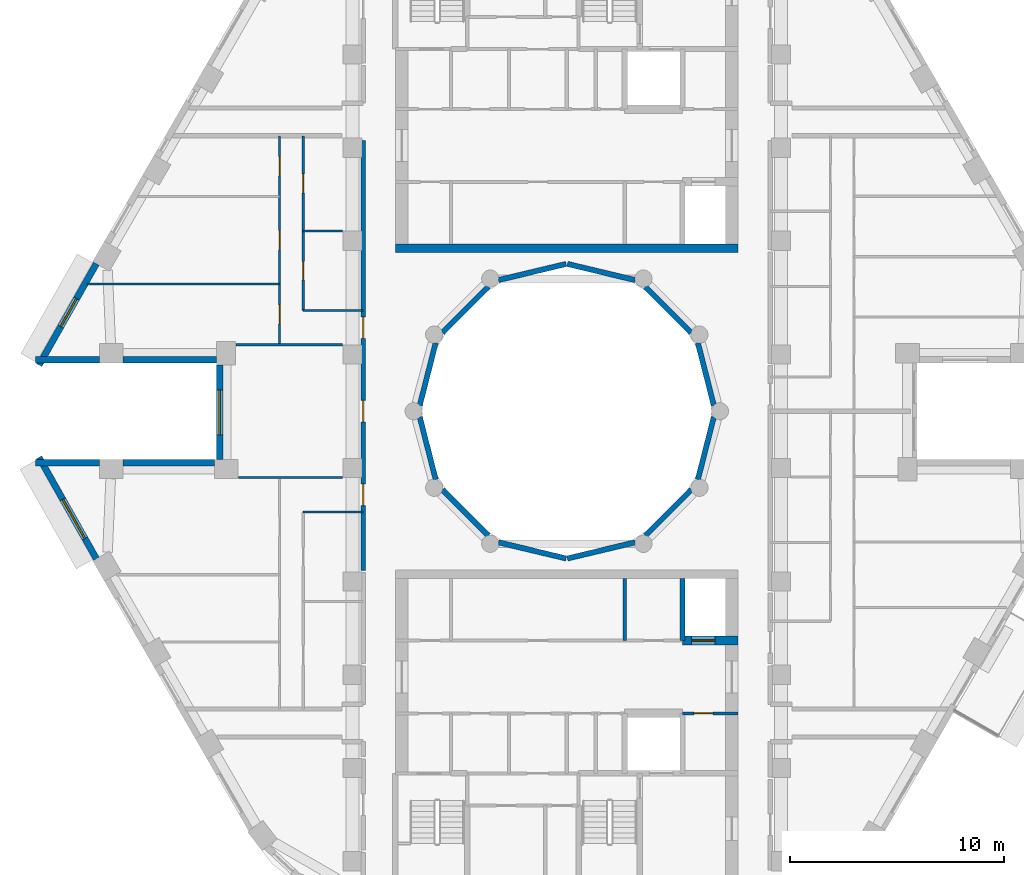
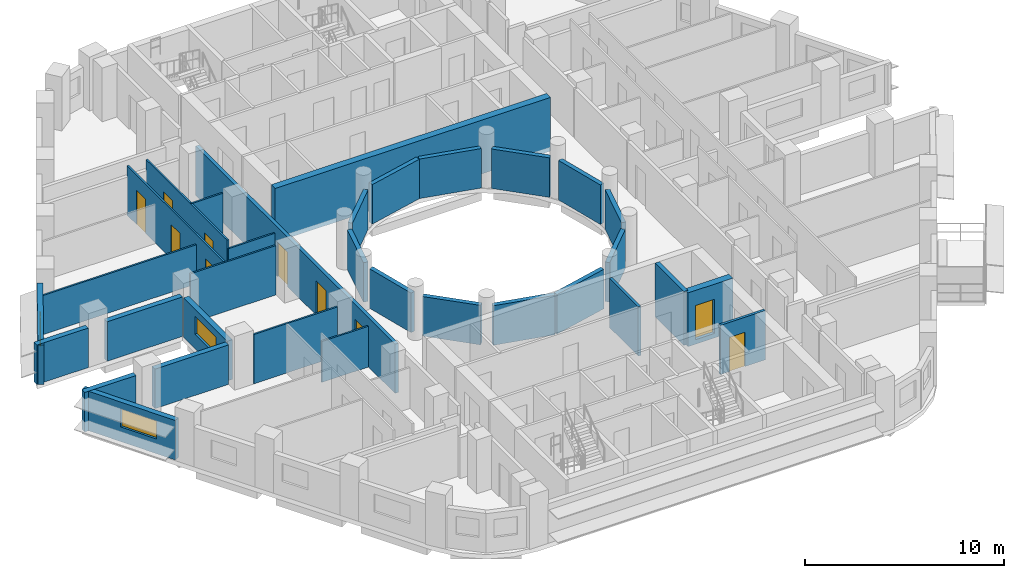
# One storey, part 4 of 12: 33 walls, 10 doors, 3 windows, 13 openings.
"""IFC4 building model written with IfcOpenShell, lengths in metres."""

from ifc_helpers import new_model, si_unit, direction, frame, frame_2d, origin, place, context, subcontext, project, spatial, rectangle, extrude, material, layer, layer_set, type_object, element, fill, save


model = new_model("IFC4")

# Units and contexts
model_context = context("Model", 3, precision=1e-05, world=origin(), true_north=direction((0.0, 1.0)))
body_context = subcontext(model_context, "Body", "Model", "MODEL_VIEW")
ifc_project = project(units=[si_unit("LENGTHUNIT", "METRE"), si_unit("AREAUNIT", "SQUARE_METRE"), si_unit("VOLUMEUNIT", "CUBIC_METRE"), si_unit("PLANEANGLEUNIT", "RADIAN"), si_unit("MASSUNIT", "GRAM", prefix="KILO")], contexts=[model_context])

# Site, building, storey
site_placement = place(None, origin())
site = spatial("IfcSite", under=ifc_project, at=site_placement, CompositionType="ELEMENT")
building_placement = place(site_placement, origin())
building = spatial("IfcBuilding", under=site, at=building_placement, Name="Nakaniwa Court", CompositionType="ELEMENT")
storey_placement = place(building_placement, frame((0.0, 0.0, 229.5)))
storey = spatial("IfcBuildingStorey", under=building, at=storey_placement, Name="L59", CompositionType="ELEMENT", Elevation=229.5)

# Wall, openings, doors
ifc_material_1 = material(Name="Acoustic double stud partition")
ifc_layer_1 = layer(ifc_material_1, 0.199951171875)
ifc_layer_set_1 = layer_set([ifc_layer_1], Name="Acoustic double stud partition")
wall_type_1 = type_object("IfcWallType", Name="Acoustic double stud partition 200", PredefinedType="PARTITIONING", material=ifc_layer_set_1)
wall_1_placement = place(storey_placement, frame((70.5, 72.576904296875, 0.0), z_axis=(0.0, 0.0, 1.0), x_axis=(0.0, 1.0, 0.0)))
wall_1 = element("IfcWall", 1, at=wall_1_placement, inside=storey, type_object=wall_type_1, Name="Partition PW-086", PredefinedType="PARTITIONING", context=body_context, shape_type="SweptSolid", body=[
    extrude(rectangle(XDim=20.051025390625, YDim=0.199951171875, at=frame_2d((10.025390625, 0.0))), origin(), (0.0, 0.0, 1.0), 3.02490234375),
])
opening_1_placement = place(wall_1_placement, frame((3.02294921875, 0.0, 0.0)))
opening_1 = element("IfcOpeningElement", 2, at=opening_1_placement, cuts=wall_1, Name="Opening D-01-03", PredefinedType="OPENING", context=body_context, shape_type="SweptSolid", body=[
    extrude(rectangle(XDim=1.0, YDim=2.10009765625, at=frame_2d((0.5, 1.050048828125))), frame((0.0, 0.10986328125, 0.0), z_axis=(0.0, -1.0, 0.0), x_axis=(1.0, 0.0, 0.0)), (0.0, 0.0, 1.0), 0.219970703125),
])
opening_2_placement = place(wall_1_placement, frame((6.923095703125, 0.0, 0.0)))
opening_2 = element("IfcOpeningElement", 3, at=opening_2_placement, cuts=wall_1, Name="Opening D-02-04", PredefinedType="OPENING", context=body_context, shape_type="SweptSolid", body=[
    extrude(rectangle(XDim=1.0, YDim=2.10009765625, at=frame_2d((0.5, 1.050048828125))), frame((0.0, 0.10986328125, 0.0), z_axis=(0.0, -1.0, 0.0), x_axis=(1.0, 0.0, 0.0)), (0.0, 0.0, 1.0), 0.219970703125),
])
opening_3_placement = place(wall_1_placement, frame((10.822998046875, 0.0, 0.0)))
opening_3 = element("IfcOpeningElement", 4, at=opening_3_placement, cuts=wall_1, Name="Opening D-01-04", PredefinedType="OPENING", context=body_context, shape_type="SweptSolid", body=[
    extrude(rectangle(XDim=1.0, YDim=2.10009765625, at=frame_2d((0.5, 1.050048828125))), frame((0.0, 0.10986328125, 0.0), z_axis=(0.0, -1.0, 0.0), x_axis=(1.0, 0.0, 0.0)), (0.0, 0.0, 1.0), 0.219970703125),
])
ifc_material_2 = material(Name="Solid core timber door set, black veneer", Category="wood")
door_type_1 = type_object("IfcDoorType", Name="Flat entrance door 1000", OperationType="NOTDEFINED", PredefinedType="DOOR", material=ifc_material_2)
door_1_placement = place(opening_1_placement, origin())
door_1 = element("IfcDoor", 5, at=door_1_placement, inside=storey, type_object=door_type_1, Name="Door D-01-03 L59-048", OperationType="SINGLE_SWING_LEFT", OverallHeight=2.10009765625, OverallWidth=1.0, PredefinedType="DOOR", context=body_context, shape_type="SweptSolid", body=[
    extrude(rectangle(XDim=1.0, YDim=2.10009765625, at=frame_2d((0.5, 1.050048828125))), frame((0.0, 0.02490234375, 0.0), z_axis=(0.0, -1.0, 0.0), x_axis=(1.0, 0.0, 0.0)), (0.0, 0.0, 1.0), 0.050048828125),
])
fill(opening_1, door_1)
door_2_placement = place(opening_3_placement, origin())
door_2 = element("IfcDoor", 6, at=door_2_placement, inside=storey, type_object=door_type_1, Name="Door D-01-04 L59-055", OperationType="SINGLE_SWING_RIGHT", OverallHeight=2.10009765625, OverallWidth=1.0, PredefinedType="DOOR", context=body_context, shape_type="SweptSolid", body=[
    extrude(rectangle(XDim=1.0, YDim=2.10009765625, at=frame_2d((0.5, 1.050048828125))), frame((0.0, 0.02490234375, 0.0), z_axis=(0.0, -1.0, 0.0), x_axis=(1.0, 0.0, 0.0)), (0.0, 0.0, 1.0), 0.050048828125),
])
fill(opening_3, door_2)
door_type_2 = type_object("IfcDoorType", Name="Internal door 1000", OperationType="NOTDEFINED", PredefinedType="DOOR", material=ifc_material_2)
door_3_placement = place(opening_2_placement, origin())
door_3 = element("IfcDoor", 7, at=door_3_placement, inside=storey, type_object=door_type_2, Name="Door D-02-04 L59-054", OperationType="SINGLE_SWING_LEFT", OverallHeight=2.10009765625, OverallWidth=1.0, PredefinedType="DOOR", context=body_context, shape_type="SweptSolid", body=[
    extrude(rectangle(XDim=1.0, YDim=2.10009765625, at=frame_2d((0.5, 1.050048828125))), frame((0.0, 0.02490234375, 0.0), z_axis=(0.0, -1.0, 0.0), x_axis=(1.0, 0.0, 0.0)), (0.0, 0.0, 1.0), 0.050048828125),
])
fill(opening_2, door_3)

# Wall, opening, window
ifc_material_3 = material(Name="Charcoal ceramic cladding")
ifc_layer_2 = layer(ifc_material_3, 0.02, Name="Ceramic cladding")
ifc_material_4 = material(Name="Ventilated air cavity")
ifc_layer_3 = layer(ifc_material_4, 0.04, ventilated=True, Name="Ventilated cavity")
ifc_material_5 = material(Name="Mineral wool insulation")
ifc_layer_4 = layer(ifc_material_5, 0.1, Name="Insulation")
ifc_material_6 = material(Name="Cement bonded sheathing board")
ifc_layer_5 = layer(ifc_material_6, 0.012, Name="Sheathing")
ifc_material_7 = material(Name="Cold-formed galvanised stud frame with mineral wool infill")
ifc_layer_6 = layer(ifc_material_7, 0.1, Name="Stud frame")
ifc_material_8 = material(Name="Fire-rated gypsum plasterboard lining")
ifc_layer_7 = layer(ifc_material_8, 0.028, Name="Lining")
ifc_layer_set_2 = layer_set([ifc_layer_2, ifc_layer_3, ifc_layer_4, ifc_layer_5, ifc_layer_6, ifc_layer_7], Name="Charcoal ceramic faced external wall system")
wall_type_2 = type_object("IfcWallType", Name="Black ceramic faced external wall 300", PredefinedType="SOLIDWALL", material=ifc_layer_set_2)
wall_2_placement = place(storey_placement, frame((58.048095703125, 86.886474609375, 0.0), z_axis=(0.0, 0.0, 1.0), x_axis=(-0.492080931903, -0.870549456641, 0.0)))
wall_2 = element("IfcWall", 8, at=wall_2_placement, inside=storey, type_object=wall_type_2, Name="L59 external wall 14", PredefinedType="SOLIDWALL", context=body_context, shape_type="SweptSolid", body=[
    extrude(rectangle(XDim=5.436767578125, YDim=0.300048828125, at=frame_2d((2.71826171875, 0.0))), origin(), (0.0, 0.0, 1.0), 2.425048828125),
])
opening_4_placement = place(wall_2_placement, frame((1.877685546875, 0.0, 0.89990234375)))
opening_4 = element("IfcOpeningElement", 9, at=opening_4_placement, cuts=wall_2, Name="Opening W5.17", PredefinedType="OPENING", context=body_context, shape_type="SweptSolid", body=[
    extrude(rectangle(XDim=1.5, YDim=1.10009765625, at=frame_2d((0.75, 0.550048828125))), frame((0.0, 0.159912109375, 0.0), z_axis=(0.0, -1.0, 0.0), x_axis=(1.0, 0.0, 0.0)), (0.0, 0.0, 1.0), 0.320068359375),
])
ifc_material_9 = material(Name="Black anodised aluminium frame with dark low-E laminated double glazing", Category="aluminium")
window_type_1 = type_object("IfcWindowType", Name="Dark glass window 1500x1100 sill 900", PartitioningType="SINGLE_PANEL", PredefinedType="WINDOW", material=ifc_material_9)
window_1_placement = place(opening_4_placement, origin())
window_1 = element("IfcWindow", 10, at=window_1_placement, inside=storey, type_object=window_type_1, Name="L59 bedroom window 14-1", OverallHeight=1.10009765625, OverallWidth=1.5, PartitioningType="SINGLE_PANEL", PredefinedType="WINDOW", context=body_context, shape_type="SweptSolid", body=[
    extrude(rectangle(XDim=1.5, YDim=1.10009765625, at=frame_2d((0.75, 0.550048828125))), frame((0.0, 0.030029296875, 0.0), z_axis=(0.0, -1.0, 0.0), x_axis=(1.0, 0.0, 0.0)), (0.0, 0.0, 1.0), 0.06005859375),
])
fill(opening_4, window_1)

# Walls
wall_3_placement = place(storey_placement, frame((55.2021484375, 82.39990234375, 0.0), z_axis=(0.0, 0.0, 1.0), x_axis=(1.0, 0.0, 0.0)))
element("IfcWall", 11, at=wall_3_placement, inside=storey, type_object=wall_type_2, Name="L59 external wall 15", PredefinedType="SOLIDWALL", context=body_context, shape_type="SweptSolid", body=[
    extrude(rectangle(XDim=2.98779296875, YDim=0.300048828125, at=frame_2d((1.493896484375, 0.0))), origin(), (0.0, 0.0, 1.0), 2.425048828125),
])
wall_4_placement = place(storey_placement, frame((59.281982421875, 82.39990234375, 0.0), z_axis=(0.0, 0.0, 1.0), x_axis=(1.0, 0.0, 0.0)))
element("IfcWall", 12, at=wall_4_placement, inside=storey, type_object=wall_type_2, Name="L59 external wall 16", PredefinedType="SOLIDWALL", context=body_context, shape_type="SweptSolid", body=[
    extrude(rectangle(XDim=4.37255859375, YDim=0.300048828125, at=frame_2d((2.186279296875, 0.0))), origin(), (0.0, 0.0, 1.0), 2.425048828125),
])

# Wall, opening, window
wall_5_placement = place(storey_placement, frame((63.800537109375, 82.154052734375, 0.0), z_axis=(0.0, 0.0, 1.0), x_axis=(0.0, -1.0, 0.0)))
wall_5 = element("IfcWall", 13, at=wall_5_placement, inside=storey, type_object=wall_type_2, Name="L59 external wall 17", PredefinedType="SOLIDWALL", context=body_context, shape_type="SweptSolid", body=[
    extrude(rectangle(XDim=4.407958984375, YDim=0.300048828125, at=frame_2d((2.2041015625, 0.0))), origin(), (0.0, 0.0, 1.0), 2.425048828125),
])
opening_5_placement = place(wall_5_placement, frame((1.154052734375, 0.0, 0.89990234375)))
opening_5 = element("IfcOpeningElement", 14, at=opening_5_placement, cuts=wall_5, Name="Opening W7.18", PredefinedType="OPENING", context=body_context, shape_type="SweptSolid", body=[
    extrude(rectangle(XDim=2.10009765625, YDim=1.10009765625, at=frame_2d((1.050048828125, 0.550048828125))), frame((0.0, 0.159912109375, 0.0), z_axis=(0.0, -1.0, 0.0), x_axis=(1.0, 0.0, 0.0)), (0.0, 0.0, 1.0), 0.320068359375),
])
window_type_2 = type_object("IfcWindowType", Name="Dark glass window 2100x1100 sill 900", PartitioningType="SINGLE_PANEL", PredefinedType="WINDOW", material=ifc_material_9)
window_2_placement = place(opening_5_placement, origin())
window_2 = element("IfcWindow", 15, at=window_2_placement, inside=storey, type_object=window_type_2, Name="L59 habitable room window 17-0", OverallHeight=1.10009765625, OverallWidth=2.10009765625, PartitioningType="SINGLE_PANEL", PredefinedType="WINDOW", context=body_context, shape_type="SweptSolid", body=[
    extrude(rectangle(XDim=2.10009765625, YDim=1.10009765625, at=frame_2d((1.050048828125, 0.550048828125))), frame((0.0, 0.030029296875, 0.0), z_axis=(0.0, -1.0, 0.0), x_axis=(1.0, 0.0, 0.0)), (0.0, 0.0, 1.0), 0.06005859375),
])
fill(opening_5, window_2)

# Walls
wall_6_placement = place(storey_placement, frame((63.554443359375, 77.60009765625, 0.0), z_axis=(0.0, 0.0, 1.0), x_axis=(-1.0, 0.0, 0.0)))
element("IfcWall", 16, at=wall_6_placement, inside=storey, type_object=wall_type_2, Name="L59 external wall 18", PredefinedType="SOLIDWALL", context=body_context, shape_type="SweptSolid", body=[
    extrude(rectangle(XDim=4.2724609375, YDim=0.300048828125, at=frame_2d((2.13623046875, 0.0))), origin(), (0.0, 0.0, 1.0), 2.425048828125),
])
wall_7_placement = place(storey_placement, frame((58.18994140625, 77.60009765625, 0.0), z_axis=(0.0, 0.0, 1.0), x_axis=(-1.0, 0.0, 0.0)))
element("IfcWall", 17, at=wall_7_placement, inside=storey, type_object=wall_type_2, Name="L59 external wall 19", PredefinedType="SOLIDWALL", context=body_context, shape_type="SweptSolid", body=[
    extrude(rectangle(XDim=2.98779296875, YDim=0.300048828125, at=frame_2d((1.493896484375, 0.0))), origin(), (0.0, 0.0, 1.0), 2.425048828125),
])

# Wall, opening, window
wall_8_placement = place(storey_placement, frame((55.372802734375, 77.846435546875, 0.0), z_axis=(0.0, 0.0, 1.0), x_axis=(0.492080931903, -0.870549456641, 0.0)))
wall_8 = element("IfcWall", 18, at=wall_8_placement, inside=storey, type_object=wall_type_2, Name="L59 external wall 20", PredefinedType="SOLIDWALL", context=body_context, shape_type="SweptSolid", body=[
    extrude(rectangle(XDim=5.436767578125, YDim=0.300048828125, at=frame_2d((2.71826171875, 0.0))), origin(), (0.0, 0.0, 1.0), 2.425048828125),
])
opening_6_placement = place(wall_8_placement, frame((2.247314453125, 0.0, 0.89990234375)))
opening_6 = element("IfcOpeningElement", 19, at=opening_6_placement, cuts=wall_8, Name="Opening W7.19", PredefinedType="OPENING", context=body_context, shape_type="SweptSolid", body=[
    extrude(rectangle(XDim=2.10009765625, YDim=1.10009765625, at=frame_2d((1.050048828125, 0.550048828125))), frame((0.0, 0.159912109375, 0.0), z_axis=(0.0, -1.0, 0.0), x_axis=(1.0, 0.0, 0.0)), (0.0, 0.0, 1.0), 0.320068359375),
])
window_3_placement = place(opening_6_placement, origin())
window_3 = element("IfcWindow", 20, at=window_3_placement, inside=storey, type_object=window_type_2, Name="L59 living window 20-0", OverallHeight=1.10009765625, OverallWidth=2.10009765625, PartitioningType="SINGLE_PANEL", PredefinedType="WINDOW", context=body_context, shape_type="SweptSolid", body=[
    extrude(rectangle(XDim=2.10009765625, YDim=1.10009765625, at=frame_2d((1.050048828125, 0.550048828125))), frame((0.0, 0.030029296875, 0.0), z_axis=(0.0, -1.0, 0.0), x_axis=(1.0, 0.0, 0.0)), (0.0, 0.0, 1.0), 0.06005859375),
])
fill(opening_6, window_3)

# Wall
ifc_material_10 = material(Name="Blockwork partition", Category="masonry")
ifc_layer_8 = layer(ifc_material_10, 0.14990234375)
ifc_layer_set_3 = layer_set([ifc_layer_8], Name="Blockwork partition")
wall_type_3 = type_object("IfcWallType", Name="Blockwork partition 150", PredefinedType="PARTITIONING", material=ifc_layer_set_3)
wall_9_placement = place(storey_placement, frame((82.699951171875, 69.300048828125, 0.0), z_axis=(0.0, 0.0, 1.0), x_axis=(0.0, 1.0, 0.0)))
element("IfcWall", 21, at=wall_9_placement, inside=storey, type_object=wall_type_3, Name="Partition PW-037", PredefinedType="PARTITIONING", context=body_context, shape_type="SweptSolid", body=[
    extrude(rectangle(XDim=2.89990234375, YDim=0.14990234375, at=frame_2d((1.449951171875, 0.0))), origin(), (0.0, 0.0, 1.0), 3.02490234375),
])

# Wall, opening, door
wall_10_placement = place(storey_placement, frame((88.0, 65.89990234375, 0.0), z_axis=(0.0, 0.0, 1.0), x_axis=(-1.0, 0.0, 0.0)))
wall_10 = element("IfcWall", 22, at=wall_10_placement, inside=storey, type_object=wall_type_3, Name="Partition PW-039", PredefinedType="PARTITIONING", context=body_context, shape_type="SweptSolid", body=[
    extrude(rectangle(XDim=2.60302734375, YDim=0.14990234375, at=frame_2d((1.301513671875, 0.0))), origin(), (0.0, 0.0, 1.0), 3.02490234375),
])
opening_7_placement = place(wall_10_placement, frame((1.175048828125, 0.0, 0.0)))
opening_7 = element("IfcOpeningElement", 23, at=opening_7_placement, cuts=wall_10, Name="Opening D-05-16", PredefinedType="OPENING", context=body_context, shape_type="SweptSolid", body=[
    extrude(rectangle(XDim=0.89990234375, YDim=2.10009765625, at=frame_2d((0.449951171875, 1.050048828125))), frame((0.0, 0.0849609375, 0.0), z_axis=(0.0, -1.0, 0.0), x_axis=(1.0, 0.0, 0.0)), (0.0, 0.0, 1.0), 0.169921875),
])
ifc_material_11 = material(Name="Fire rated steel door set", Category="steel")
door_type_3 = type_object("IfcDoorType", Name="Service room door 900", OperationType="NOTDEFINED", PredefinedType="DOOR", material=ifc_material_11)
door_4_placement = place(opening_7_placement, origin())
door_4 = element("IfcDoor", 24, at=door_4_placement, inside=storey, type_object=door_type_3, Name="Door D-05-16 L59-023", OperationType="SINGLE_SWING_RIGHT", OverallHeight=2.10009765625, OverallWidth=0.89990234375, PredefinedType="DOOR", context=body_context, shape_type="SweptSolid", body=[
    extrude(rectangle(XDim=0.89990234375, YDim=2.10009765625, at=frame_2d((0.449951171875, 1.050048828125))), frame((0.0, 0.02490234375, 0.0), z_axis=(0.0, -1.0, 0.0), x_axis=(1.0, 0.0, 0.0)), (0.0, 0.0, 1.0), 0.050048828125),
])
fill(opening_7, door_4)

# Walls
ifc_layer_9 = layer(ifc_material_3, 0.02, Name="Ceramic cladding")
ifc_layer_10 = layer(ifc_material_4, 0.04, ventilated=True, Name="Ventilated cavity")
ifc_layer_11 = layer(ifc_material_5, 0.075, Name="Insulation")
ifc_layer_12 = layer(ifc_material_6, 0.012, Name="Sheathing")
ifc_layer_13 = layer(ifc_material_7, 0.075, Name="Stud frame")
ifc_layer_14 = layer(ifc_material_8, 0.028, Name="Lining")
ifc_layer_set_4 = layer_set([ifc_layer_9, ifc_layer_10, ifc_layer_11, ifc_layer_12, ifc_layer_13, ifc_layer_14], Name="Charcoal ceramic faced external wall system")
wall_type_4 = type_object("IfcWallType", Name="Charcoal ceramic faced well wall 250", PredefinedType="SOLIDWALL", material=ifc_layer_set_4)
wall_11_placement = place(storey_placement, frame((86.8603515625, 79.72998046875, 0.0), z_axis=(0.0, 0.0, 1.0), x_axis=(-0.247055971283, -0.969001211069, 0.0)))
element("IfcWall", 25, at=wall_11_placement, inside=storey, type_object=wall_type_4, Name="L59 external wall 36", PredefinedType="SOLIDWALL", context=body_context, shape_type="SweptSolid", body=[
    extrude(rectangle(XDim=3.010009765625, YDim=0.25, at=frame_2d((1.5048828125, 0.0))), origin(), (0.0, 0.0, 1.0), 2.425048828125),
])
wall_12_placement = place(storey_placement, frame((85.8056640625, 76.339111328125, 0.0), z_axis=(0.0, 0.0, 1.0), x_axis=(-0.707106781187, -0.707106781187, 0.0)))
element("IfcWall", 26, at=wall_12_placement, inside=storey, type_object=wall_type_4, Name="L59 external wall 37", PredefinedType="SOLIDWALL", context=body_context, shape_type="SweptSolid", body=[
    extrude(rectangle(XDim=3.033203125, YDim=0.25, at=frame_2d((1.5166015625, 0.0))), origin(), (0.0, 0.0, 1.0), 2.425048828125),
])
for number, where, z_axis, x_axis, name in (
    (27, (83.186279296875, 73.880615234375, 0.0), (0.0, 0.0, 1.0), (-0.972773113459, -0.231759508395, 0.0), "L59 external wall 38"),
    (28, (79.970947265625, 73.12841796875, 0.0), (0.0, 0.0, 1.0), (-0.972773113459, 0.231759508395, 0.0), "L59 external wall 39"),
):
    element("IfcWall", number, at=place(storey_placement, frame(where, z_axis=z_axis, x_axis=x_axis)), inside=storey, type_object=wall_type_4, Name=name, PredefinedType="SOLIDWALL", context=body_context, shape_type="SweptSolid", body=[
        extrude(rectangle(XDim=3.24560546875, YDim=0.25, at=frame_2d((1.622802734375, 0.0))), origin(), (0.0, 0.0, 1.0), 2.425048828125),
    ])
wall_13_placement = place(storey_placement, frame((76.339111328125, 74.1943359375, 0.0), z_axis=(0.0, 0.0, 1.0), x_axis=(-0.707106781187, 0.707106781187, 0.0)))
element("IfcWall", 29, at=wall_13_placement, inside=storey, type_object=wall_type_4, Name="L59 external wall 40", PredefinedType="SOLIDWALL", context=body_context, shape_type="SweptSolid", body=[
    extrude(rectangle(XDim=3.033203125, YDim=0.25, at=frame_2d((1.5166015625, 0.0))), origin(), (0.0, 0.0, 1.0), 2.425048828125),
])
for number, where, z_axis, x_axis, name in (
    (30, (73.88330078125, 76.813232421875, 0.0), (0.0, 0.0, 1.0), (-0.247055971283, 0.969001211069, 0.0), "L59 external wall 41"),
    (31, (73.1396484375, 80.27001953125, 0.0), (0.0, 0.0, 1.0), (0.247055971283, 0.969001211069, 0.0), "L59 external wall 42"),
):
    element("IfcWall", number, at=place(storey_placement, frame(where, z_axis=z_axis, x_axis=x_axis)), inside=storey, type_object=wall_type_4, Name=name, PredefinedType="SOLIDWALL", context=body_context, shape_type="SweptSolid", body=[
        extrude(rectangle(XDim=3.010009765625, YDim=0.25, at=frame_2d((1.5048828125, 0.0))), origin(), (0.0, 0.0, 1.0), 2.425048828125),
    ])
wall_14_placement = place(storey_placement, frame((74.1943359375, 83.660888671875, 0.0), z_axis=(0.0, 0.0, 1.0), x_axis=(0.707106781187, 0.707106781187, 0.0)))
element("IfcWall", 32, at=wall_14_placement, inside=storey, type_object=wall_type_4, Name="L59 external wall 43", PredefinedType="SOLIDWALL", context=body_context, shape_type="SweptSolid", body=[
    extrude(rectangle(XDim=3.033203125, YDim=0.25, at=frame_2d((1.5166015625, 0.0))), origin(), (0.0, 0.0, 1.0), 2.425048828125),
])
for number, where, z_axis, x_axis, name in (
    (33, (76.813720703125, 86.119384765625, 0.0), (0.0, 0.0, 1.0), (0.972773113459, 0.231759508395, 0.0), "L59 external wall 44"),
    (34, (80.029052734375, 86.87158203125, 0.0), (0.0, 0.0, 1.0), (0.972773113459, -0.231759508395, 0.0), "L59 external wall 45"),
):
    element("IfcWall", number, at=place(storey_placement, frame(where, z_axis=z_axis, x_axis=x_axis)), inside=storey, type_object=wall_type_4, Name=name, PredefinedType="SOLIDWALL", context=body_context, shape_type="SweptSolid", body=[
        extrude(rectangle(XDim=3.24560546875, YDim=0.25, at=frame_2d((1.622802734375, 0.0))), origin(), (0.0, 0.0, 1.0), 2.425048828125),
    ])
wall_15_placement = place(storey_placement, frame((83.660888671875, 85.8056640625, 0.0), z_axis=(0.0, 0.0, 1.0), x_axis=(0.707106781187, -0.707106781187, 0.0)))
element("IfcWall", 35, at=wall_15_placement, inside=storey, type_object=wall_type_4, Name="L59 external wall 46", PredefinedType="SOLIDWALL", context=body_context, shape_type="SweptSolid", body=[
    extrude(rectangle(XDim=3.033203125, YDim=0.25, at=frame_2d((1.5166015625, 0.0))), origin(), (0.0, 0.0, 1.0), 2.425048828125),
])
wall_16_placement = place(storey_placement, frame((86.11669921875, 83.186767578125, 0.0), z_axis=(0.0, 0.0, 1.0), x_axis=(0.247055971283, -0.969001211069, 0.0)))
element("IfcWall", 36, at=wall_16_placement, inside=storey, type_object=wall_type_4, Name="L59 external wall 47", PredefinedType="SOLIDWALL", context=body_context, shape_type="SweptSolid", body=[
    extrude(rectangle(XDim=3.010009765625, YDim=0.25, at=frame_2d((1.5048828125, 0.0))), origin(), (0.0, 0.0, 1.0), 2.425048828125),
])

# Wall, opening, door
ifc_material_12 = material(Name="Concrete C80/100", Category="concrete")
ifc_layer_15 = layer(ifc_material_12, 0.39990234375)
ifc_layer_set_5 = layer_set([ifc_layer_15], Name="Concrete C80/100")
wall_type_5 = type_object("IfcWallType", Name="Concrete core spine wall 400 C80", PredefinedType="SHEAR", material=ifc_layer_set_5)
wall_17_placement = place(storey_placement, frame((85.39990234375, 69.300048828125, -0.27490234375), z_axis=(0.0, 0.0, 1.0), x_axis=(1.0, 0.0, 0.0)))
wall_17 = element("IfcWall", 37, at=wall_17_placement, inside=storey, type_object=wall_type_5, Name="Core wall SW-35", PredefinedType="SHEAR", context=body_context, shape_type="SweptSolid", body=[
    extrude(rectangle(XDim=2.60009765625, YDim=0.39990234375, at=frame_2d((1.300048828125, 0.0))), origin(), (0.0, 0.0, 1.0), 3.2998046875),
])
opening_8_placement = place(wall_17_placement, frame((0.425048828125, 0.0, 0.27490234375)))
opening_8 = element("IfcOpeningElement", 38, at=opening_8_placement, cuts=wall_17, Name="Opening LD03", PredefinedType="OPENING", context=body_context, shape_type="SweptSolid", body=[
    extrude(rectangle(XDim=1.10009765625, YDim=2.10009765625, at=frame_2d((0.550048828125, 1.050048828125))), frame((0.0, 0.2099609375, 0.0), z_axis=(0.0, -1.0, 0.0), x_axis=(1.0, 0.0, 0.0)), (0.0, 0.0, 1.0), 0.419921875),
])
ifc_material_13 = material(Name="Stainless steel sliding lift landing door", Category="steel")
door_type_4 = type_object("IfcDoorType", Name="Lift landing door 1100", OperationType="NOTDEFINED", PredefinedType="DOOR", material=ifc_material_13)
door_5_placement = place(opening_8_placement, origin())
door_5 = element("IfcDoor", 39, at=door_5_placement, inside=storey, type_object=door_type_4, Name="Lift landing door LD03 L59-003", OperationType="SLIDING_TO_LEFT", OverallHeight=2.10009765625, OverallWidth=1.10009765625, PredefinedType="DOOR", context=body_context, shape_type="SweptSolid", body=[
    extrude(rectangle(XDim=1.10009765625, YDim=2.10009765625, at=frame_2d((0.550048828125, 1.050048828125))), frame((0.0, 0.02490234375, 0.0), z_axis=(0.0, -1.0, 0.0), x_axis=(1.0, 0.0, 0.0)), (0.0, 0.0, 1.0), 0.050048828125),
])
fill(opening_8, door_5)

# Walls
ifc_layer_16 = layer(ifc_material_12, 0.39990234375)
ifc_layer_set_6 = layer_set([ifc_layer_16], Name="Concrete C80/100")
wall_type_6 = type_object("IfcWallType", Name="Concrete core well wall 400 C80", PredefinedType="SHEAR", material=ifc_layer_set_6)
wall_18_placement = place(storey_placement, frame((72.00390625, 87.60009765625, -0.27490234375), z_axis=(0.0, 0.0, 1.0), x_axis=(1.0, 0.0, 0.0)))
element("IfcWall", 40, at=wall_18_placement, inside=storey, type_object=wall_type_6, Name="Core wall SW-120", PredefinedType="SHEAR", context=body_context, shape_type="SweptSolid", body=[
    extrude(rectangle(XDim=15.9921875, YDim=0.39990234375, at=frame_2d((7.99609375, 0.0))), origin(), (0.0, 0.0, 1.0), 3.2998046875),
])
ifc_layer_17 = layer(ifc_material_12, 0.25)
ifc_layer_set_7 = layer_set([ifc_layer_17], Name="Concrete C80/100")
wall_type_7 = type_object("IfcWallType", Name="Concrete shaft wall 250 C80", PredefinedType="SHEAR", material=ifc_layer_set_7)
wall_19_placement = place(storey_placement, frame((85.39990234375, 69.300048828125, -0.27490234375), z_axis=(0.0, 0.0, 1.0), x_axis=(0.0, 1.0, 0.0)))
element("IfcWall", 41, at=wall_19_placement, inside=storey, type_object=wall_type_7, Name="Core wall SW-34", PredefinedType="SHEAR", context=body_context, shape_type="SweptSolid", body=[
    extrude(rectangle(XDim=2.89990234375, YDim=0.25, at=frame_2d((1.449951171875, 0.0))), origin(), (0.0, 0.0, 1.0), 3.2998046875),
])

# Wall, openings, doors
ifc_material_14 = material(Name="Single stud plasterboard partition")
ifc_layer_18 = layer(ifc_material_14, 0.10009765625)
ifc_layer_set_8 = layer_set([ifc_layer_18], Name="Single stud plasterboard partition")
wall_type_8 = type_object("IfcWallType", Name="Single stud plasterboard partition 100", PredefinedType="PARTITIONING", material=ifc_layer_set_8)
wall_20_placement = place(storey_placement, frame((67.699951171875, 92.85009765625, 0.0), z_axis=(0.0, 0.0, 1.0), x_axis=(0.0, -1.0, 0.0)))
wall_20 = element("IfcWall", 42, at=wall_20_placement, inside=storey, type_object=wall_type_8, Name="Partition PW-108", PredefinedType="PARTITIONING", context=body_context, shape_type="SweptSolid", body=[
    extrude(rectangle(XDim=8.150146484375, YDim=0.10009765625, at=frame_2d((4.0751953125, 0.0))), origin(), (0.0, 0.0, 1.0), 3.02490234375),
])
opening_9_placement = place(wall_20_placement, frame((5.873046875, 0.0, 0.0)))
opening_9 = element("IfcOpeningElement", 43, at=opening_9_placement, cuts=wall_20, Name="Opening D-03-06", PredefinedType="OPENING", context=body_context, shape_type="SweptSolid", body=[
    extrude(rectangle(XDim=0.85009765625, YDim=2.10009765625, at=frame_2d((0.425048828125, 1.050048828125))), frame((0.0, 0.06005859375, 0.0), z_axis=(0.0, -1.0, 0.0), x_axis=(1.0, 0.0, 0.0)), (0.0, 0.0, 1.0), 0.1201171875),
])
opening_10_placement = place(wall_20_placement, frame((1.77294921875, 0.0, 0.0)))
opening_10 = element("IfcOpeningElement", 44, at=opening_10_placement, cuts=wall_20, Name="Opening D-33-15", PredefinedType="OPENING", context=body_context, shape_type="SweptSolid", body=[
    extrude(rectangle(XDim=0.89990234375, YDim=2.10009765625, at=frame_2d((0.449951171875, 1.050048828125))), frame((0.0, 0.06005859375, 0.0), z_axis=(0.0, -1.0, 0.0), x_axis=(1.0, 0.0, 0.0)), (0.0, 0.0, 1.0), 0.1201171875),
])
ifc_material_15 = material(Name="Moisture sealed timber door set", Category="wood")
door_type_5 = type_object("IfcDoorType", Name="Bathroom door 850", OperationType="NOTDEFINED", PredefinedType="DOOR", material=ifc_material_15)
door_6_placement = place(opening_9_placement, origin())
door_6 = element("IfcDoor", 45, at=door_6_placement, inside=storey, type_object=door_type_5, Name="Door D-03-06 L59-056", OperationType="SINGLE_SWING_LEFT", OverallHeight=2.10009765625, OverallWidth=0.85009765625, PredefinedType="DOOR", context=body_context, shape_type="SweptSolid", body=[
    extrude(rectangle(XDim=0.85009765625, YDim=2.10009765625, at=frame_2d((0.425048828125, 1.050048828125))), frame((0.0, 0.02490234375, 0.0), z_axis=(0.0, -1.0, 0.0), x_axis=(1.0, 0.0, 0.0)), (0.0, 0.0, 1.0), 0.050048828125),
])
fill(opening_9, door_6)
door_type_6 = type_object("IfcDoorType", Name="Internal door 900", OperationType="NOTDEFINED", PredefinedType="DOOR", material=ifc_material_2)
door_7_placement = place(opening_10_placement, origin())
door_7 = element("IfcDoor", 46, at=door_7_placement, inside=storey, type_object=door_type_6, Name="Door D-33-15 L59-057", OperationType="SINGLE_SWING_RIGHT", OverallHeight=2.10009765625, OverallWidth=0.89990234375, PredefinedType="DOOR", context=body_context, shape_type="SweptSolid", body=[
    extrude(rectangle(XDim=0.89990234375, YDim=2.10009765625, at=frame_2d((0.449951171875, 1.050048828125))), frame((0.0, 0.02490234375, 0.0), z_axis=(0.0, -1.0, 0.0), x_axis=(1.0, 0.0, 0.0)), (0.0, 0.0, 1.0), 0.050048828125),
])
fill(opening_10, door_7)

# Wall
wall_21_placement = place(storey_placement, frame((67.699951171875, 75.300048828125, 0.0), z_axis=(0.0, 0.0, 1.0), x_axis=(1.0, 0.0, 0.0)))
element("IfcWall", 47, at=wall_21_placement, inside=storey, type_object=wall_type_8, Name="Partition PW-109", PredefinedType="PARTITIONING", context=body_context, shape_type="SweptSolid", body=[
    extrude(rectangle(XDim=2.800048828125, YDim=0.10009765625, at=frame_2d((1.39990234375, 0.0))), origin(), (0.0, 0.0, 1.0), 2.5048828125),
])

# Wall, openings, doors
wall_22_placement = place(storey_placement, frame((66.60009765625, 83.10009765625, 0.0), z_axis=(0.0, 0.0, 1.0), x_axis=(0.0, 1.0, 0.0)))
wall_22 = element("IfcWall", 48, at=wall_22_placement, inside=storey, type_object=wall_type_8, Name="Partition PW-111", PredefinedType="PARTITIONING", context=body_context, shape_type="SweptSolid", body=[
    extrude(rectangle(XDim=9.75, YDim=0.10009765625, at=frame_2d((4.875, 0.0))), origin(), (0.0, 0.0, 1.0), 3.02490234375),
])
opening_11_placement = place(wall_22_placement, frame((0.965087890625, 0.0, 0.0)))
opening_11 = element("IfcOpeningElement", 49, at=opening_11_placement, cuts=wall_22, Name="Opening D-33-16", PredefinedType="OPENING", context=body_context, shape_type="SweptSolid", body=[
    extrude(rectangle(XDim=0.89990234375, YDim=2.10009765625, at=frame_2d((0.449951171875, 1.050048828125))), frame((0.0, 0.06005859375, 0.0), z_axis=(0.0, -1.0, 0.0), x_axis=(1.0, 0.0, 0.0)), (0.0, 0.0, 1.0), 0.1201171875),
])
opening_12_placement = place(wall_22_placement, frame((4.425048828125, 0.0, 0.0)))
opening_12 = element("IfcOpeningElement", 50, at=opening_12_placement, cuts=wall_22, Name="Opening D-33-17", PredefinedType="OPENING", context=body_context, shape_type="SweptSolid", body=[
    extrude(rectangle(XDim=0.89990234375, YDim=2.10009765625, at=frame_2d((0.449951171875, 1.050048828125))), frame((0.0, 0.06005859375, 0.0), z_axis=(0.0, -1.0, 0.0), x_axis=(1.0, 0.0, 0.0)), (0.0, 0.0, 1.0), 0.1201171875),
])
opening_13_placement = place(wall_22_placement, frame((7.885009765625, 0.0, 0.0)))
opening_13 = element("IfcOpeningElement", 51, at=opening_13_placement, cuts=wall_22, Name="Opening D-33-18", PredefinedType="OPENING", context=body_context, shape_type="SweptSolid", body=[
    extrude(rectangle(XDim=0.89990234375, YDim=2.10009765625, at=frame_2d((0.449951171875, 1.050048828125))), frame((0.0, 0.06005859375, 0.0), z_axis=(0.0, -1.0, 0.0), x_axis=(1.0, 0.0, 0.0)), (0.0, 0.0, 1.0), 0.1201171875),
])
door_8_placement = place(opening_11_placement, origin())
door_8 = element("IfcDoor", 52, at=door_8_placement, inside=storey, type_object=door_type_6, Name="Door D-33-16 L59-058", OperationType="SINGLE_SWING_LEFT", OverallHeight=2.10009765625, OverallWidth=0.89990234375, PredefinedType="DOOR", context=body_context, shape_type="SweptSolid", body=[
    extrude(rectangle(XDim=0.89990234375, YDim=2.10009765625, at=frame_2d((0.449951171875, 1.050048828125))), frame((0.0, 0.02490234375, 0.0), z_axis=(0.0, -1.0, 0.0), x_axis=(1.0, 0.0, 0.0)), (0.0, 0.0, 1.0), 0.050048828125),
])
fill(opening_11, door_8)
door_9_placement = place(opening_12_placement, origin())
door_9 = element("IfcDoor", 53, at=door_9_placement, inside=storey, type_object=door_type_6, Name="Door D-33-17 L59-059", OperationType="SINGLE_SWING_RIGHT", OverallHeight=2.10009765625, OverallWidth=0.89990234375, PredefinedType="DOOR", context=body_context, shape_type="SweptSolid", body=[
    extrude(rectangle(XDim=0.89990234375, YDim=2.10009765625, at=frame_2d((0.449951171875, 1.050048828125))), frame((0.0, 0.02490234375, 0.0), z_axis=(0.0, -1.0, 0.0), x_axis=(1.0, 0.0, 0.0)), (0.0, 0.0, 1.0), 0.050048828125),
])
fill(opening_12, door_9)
door_10_placement = place(opening_13_placement, origin())
door_10 = element("IfcDoor", 54, at=door_10_placement, inside=storey, type_object=door_type_6, Name="Door D-33-18 L59-060", OperationType="SINGLE_SWING_LEFT", OverallHeight=2.10009765625, OverallWidth=0.89990234375, PredefinedType="DOOR", context=body_context, shape_type="SweptSolid", body=[
    extrude(rectangle(XDim=0.89990234375, YDim=2.10009765625, at=frame_2d((0.449951171875, 1.050048828125))), frame((0.0, 0.02490234375, 0.0), z_axis=(0.0, -1.0, 0.0), x_axis=(1.0, 0.0, 0.0)), (0.0, 0.0, 1.0), 0.050048828125),
])
fill(opening_13, door_10)

# Walls
wall_23_placement = place(storey_placement, frame((64.67041015625, 76.89990234375, 0.0), z_axis=(0.0, 0.0, 1.0), x_axis=(1.0, 0.0, 0.0)))
element("IfcWall", 55, at=wall_23_placement, inside=storey, type_object=wall_type_8, Name="Partition PW-112", PredefinedType="PARTITIONING", context=body_context, shape_type="SweptSolid", body=[
    extrude(rectangle(XDim=4.859619140625, YDim=0.10009765625, at=frame_2d((2.4296875, 0.0))), origin(), (0.0, 0.0, 1.0), 3.02490234375),
])
wall_24_placement = place(storey_placement, frame((64.570556640625, 83.10009765625, 0.0), z_axis=(0.0, 0.0, 1.0), x_axis=(1.0, 0.0, 0.0)))
element("IfcWall", 56, at=wall_24_placement, inside=storey, type_object=wall_type_8, Name="Partition PW-115", PredefinedType="PARTITIONING", context=body_context, shape_type="SweptSolid", body=[
    extrude(rectangle(XDim=4.95947265625, YDim=0.10009765625, at=frame_2d((2.479736328125, 0.0))), origin(), (0.0, 0.0, 1.0), 3.02490234375),
])
wall_25_placement = place(storey_placement, frame((67.699951171875, 88.404052734375, 0.0), z_axis=(0.0, 0.0, 1.0), x_axis=(1.0, 0.0, 0.0)))
element("IfcWall", 57, at=wall_25_placement, inside=storey, type_object=wall_type_8, Name="Partition PW-116", PredefinedType="PARTITIONING", context=body_context, shape_type="SweptSolid", body=[
    extrude(rectangle(XDim=1.830078125, YDim=0.10009765625, at=frame_2d((0.9150390625, 0.0))), origin(), (0.0, 0.0, 1.0), 3.02490234375),
])
wall_26_placement = place(storey_placement, frame((67.699951171875, 84.699951171875, 0.0), z_axis=(0.0, 0.0, 1.0), x_axis=(1.0, 0.0, 0.0)))
element("IfcWall", 58, at=wall_26_placement, inside=storey, type_object=wall_type_8, Name="Partition PW-117", PredefinedType="PARTITIONING", context=body_context, shape_type="SweptSolid", body=[
    extrude(rectangle(XDim=2.800048828125, YDim=0.10009765625, at=frame_2d((1.39990234375, 0.0))), origin(), (0.0, 0.0, 1.0), 2.5048828125),
])
wall_27_placement = place(storey_placement, frame((57.616455078125, 85.930908203125, 0.0), z_axis=(0.0, 0.0, 1.0), x_axis=(1.0, 0.0, 0.0)))
element("IfcWall", 59, at=wall_27_placement, inside=storey, type_object=wall_type_8, Name="Partition PW-118", PredefinedType="PARTITIONING", context=body_context, shape_type="SweptSolid", body=[
    extrude(rectangle(XDim=8.983642578125, YDim=0.10009765625, at=frame_2d((4.49169921875, 0.0))), origin(), (0.0, 0.0, 1.0), 2.405029296875),
])

save(model, "model.ifc")
